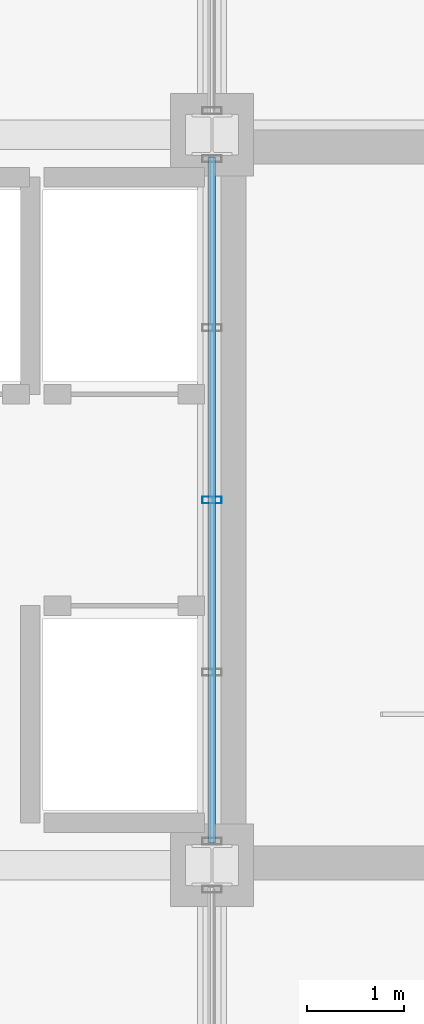
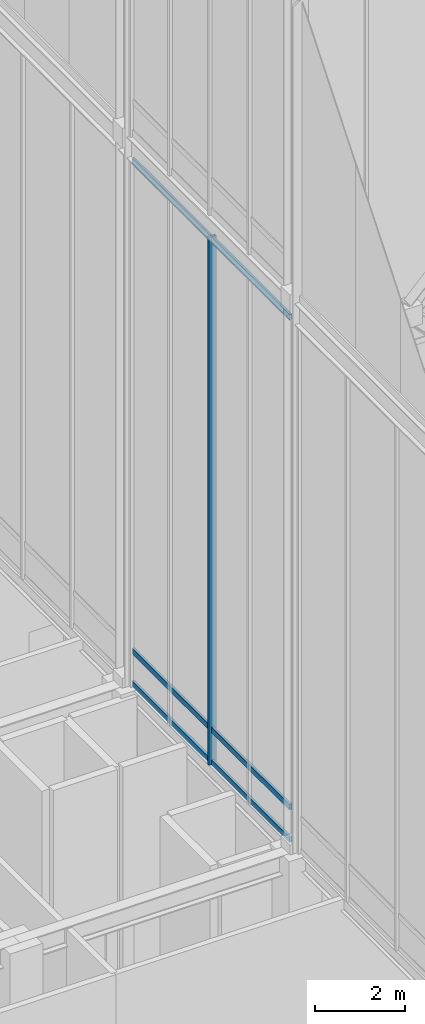
# One storey, part 9 of 49: 4 members, 1 element without a shape of its own.
"""IFC4 building model written with IfcOpenShell, lengths in metres."""

from ifc_helpers import new_model, si_unit, direction, frame, origin, origin_2d, place, context, subcontext, project, spatial, hollow_rectangle, extrude, source, transform, mapped, material, layer, layer_set, material_profile, profile_set, type_object, element, aggregate, save


model = new_model("IFC4")

# Units and contexts
model_context = context("Model", 3, precision=1e-05, world=origin(), true_north=direction((0.0, 1.0)))
body_context = subcontext(model_context, "Body", "Model", "MODEL_VIEW")
ifc_project = project(units=[si_unit("LENGTHUNIT", "METRE"), si_unit("AREAUNIT", "SQUARE_METRE"), si_unit("VOLUMEUNIT", "CUBIC_METRE"), si_unit("PLANEANGLEUNIT", "RADIAN"), si_unit("MASSUNIT", "GRAM", prefix="KILO")], contexts=[model_context])

# Site, building, storey
site_placement = place(None, origin())
site = spatial("IfcSite", under=ifc_project, at=site_placement, CompositionType="ELEMENT")
building_placement = place(site_placement, origin())
building = spatial("IfcBuilding", under=site, at=building_placement, Name="Kaliganga Portal Commons", CompositionType="ELEMENT")
storey_placement = place(building_placement, frame((0.0, 0.0, 298.0)))
storey = spatial("IfcBuildingStorey", under=building, at=storey_placement, Name="L77", CompositionType="ELEMENT", Elevation=298.0)

# Curtain wall, members
ifc_material_1 = material(Name="Anodized Aluminium and Laminated Low-E Glass", Category="aluminium")
ifc_layer = layer(ifc_material_1, 0.25)
ifc_layer_set = layer_set([ifc_layer], Name="Anodized Aluminium and Laminated Low-E Glass")
curtain_wall_type = type_object("IfcCurtainWallType", Name="CW-SYS-06", PredefinedType="NOTDEFINED", material=ifc_layer_set)
curtain_wall_placement = place(storey_placement, origin())
curtain_wall = element("IfcCurtainWall", 1, at=curtain_wall_placement, inside=storey, type_object=curtain_wall_type, Name="CW 06 L77 W", PredefinedType="NOTDEFINED")
ifc_material_2 = material(Name="Dark Bronze Anodized Aluminium", Category="aluminium")
ifc_material_profile_1 = material_profile(ifc_material_2, hollow_rectangle(XDim=0.070068359375, YDim=0.199951171875, WallThickness=0.00390625, at=origin_2d()), Name="ALU MULL 70x200x4")
ifc_profile_set_1 = profile_set([ifc_material_profile_1], Name="Dark Bronze Anodized Aluminium")
member_type_1 = type_object("IfcMemberType", Name="CW-MUL-220", PredefinedType="MULLION", material=ifc_profile_set_1)
shared_shape_1 = source(origin(), body_context, "Body", "SweptSolid", [
    extrude(hollow_rectangle(XDim=0.070068359375, YDim=0.199951171875, WallThickness=0.00390625, at=origin_2d()), origin(), (0.0, 0.0, 1.0), 14.39990234375),
])
member_1_placement = place(storey_placement, frame((14.39990234375, 32.39990234375, 6.0), z_axis=(0.0, 0.0, 1.0), x_axis=(0.0, 1.0, 0.0)))
member_1 = element("IfcMember", 2, at=member_1_placement, type_object=member_type_1, Name="CW:06:L77:W Mullion 02", PredefinedType="MULLION", context=body_context, shape_type="MappedRepresentation", body=[
    mapped(shared_shape_1, transform((0.0, 0.0, 0.0), x_axis=(1.0, 0.0, 0.0), y_axis=(0.0, 1.0, 0.0), z_axis=(0.0, 0.0, 1.0), scale=1.0)),
])
ifc_material_profile_2 = material_profile(ifc_material_2, hollow_rectangle(XDim=0.070068359375, YDim=0.14990234375, WallThickness=0.00341796875, at=origin_2d()), Name="ALU TRAN 70x150x3.5")
ifc_profile_set_2 = profile_set([ifc_material_profile_2], Name="Dark Bronze Anodized Aluminium")
member_type_2 = type_object("IfcMemberType", Name="CW-TRN-150", PredefinedType="USERDEFINED", material=ifc_profile_set_2)
shared_shape_2 = source(origin(), body_context, "Body", "SweptSolid", [
    extrude(hollow_rectangle(XDim=0.070068359375, YDim=0.14990234375, WallThickness=0.00341796875, at=origin_2d()), origin(), (0.0, 0.0, 1.0), 7.0400390625),
])
member_2_placement = place(storey_placement, frame((14.39990234375, 28.8798828125, 6.06005859375), z_axis=(0.0, 1.0, 0.0), x_axis=(-1.0, 0.0, 0.0)))
member_2 = element("IfcMember", 3, at=member_2_placement, type_object=member_type_2, Name="CW:06:L77:W Transom 1", ObjectType="TRANSOM", PredefinedType="USERDEFINED", context=body_context, shape_type="MappedRepresentation", body=[
    mapped(shared_shape_2, transform((0.0, 0.0, 0.0), x_axis=(1.0, 0.0, 0.0), y_axis=(0.0, 1.0, 0.0), z_axis=(0.0, 0.0, 1.0), scale=1.0)),
])
member_3_placement = place(storey_placement, frame((14.39990234375, 28.8798828125, 6.949951171875), z_axis=(0.0, 1.0, 0.0), x_axis=(-1.0, 0.0, 0.0)))
member_3 = element("IfcMember", 4, at=member_3_placement, type_object=member_type_2, Name="CW:06:L77:W Transom 2", ObjectType="TRANSOM", PredefinedType="USERDEFINED", context=body_context, shape_type="MappedRepresentation", body=[
    mapped(shared_shape_2, transform((0.0, 0.0, 0.0), x_axis=(1.0, 0.0, 0.0), y_axis=(0.0, 1.0, 0.0), z_axis=(0.0, 0.0, 1.0), scale=1.0)),
])
member_4_placement = place(storey_placement, frame((14.39990234375, 28.8798828125, 20.320068359375), z_axis=(0.0, 1.0, 0.0), x_axis=(-1.0, 0.0, 0.0)))
member_4 = element("IfcMember", 5, at=member_4_placement, type_object=member_type_2, Name="CW:06:L77:W Transom 3", ObjectType="TRANSOM", PredefinedType="USERDEFINED", context=body_context, shape_type="MappedRepresentation", body=[
    mapped(shared_shape_2, transform((0.0, 0.0, 0.0), x_axis=(1.0, 0.0, 0.0), y_axis=(0.0, 1.0, 0.0), z_axis=(0.0, 0.0, 1.0), scale=1.0)),
])
aggregate(curtain_wall, [member_1, member_2, member_3, member_4])

save(model, "model.ifc")
